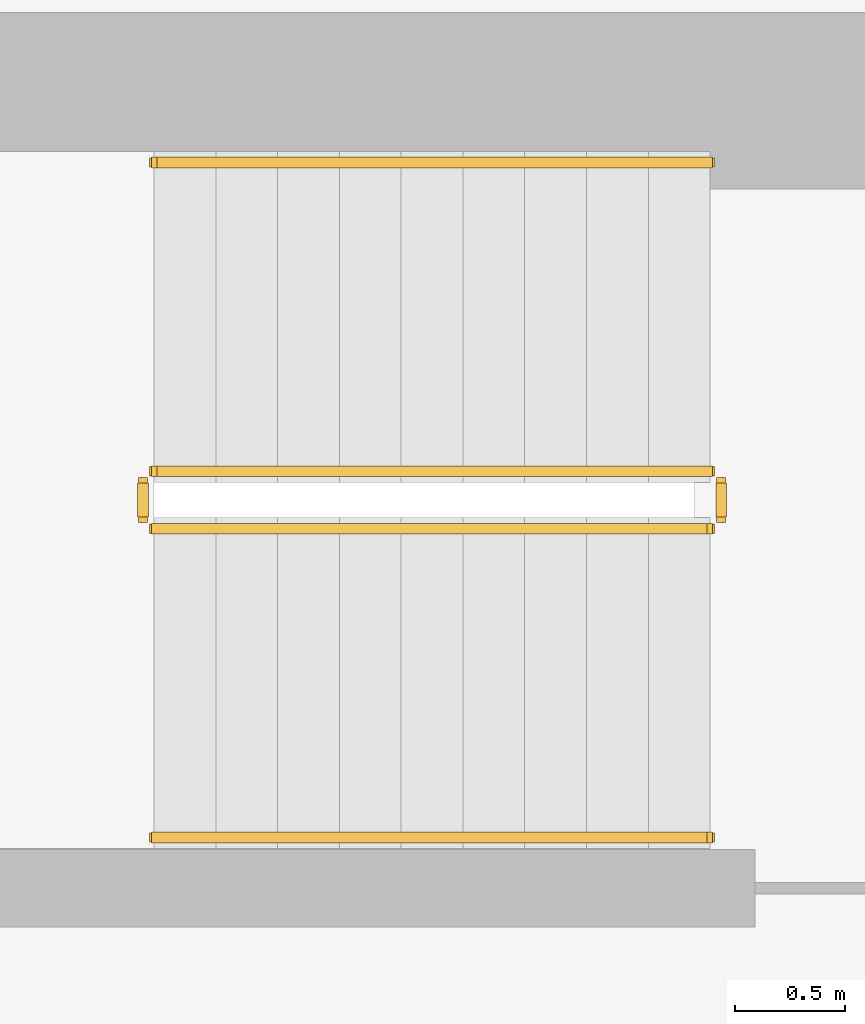
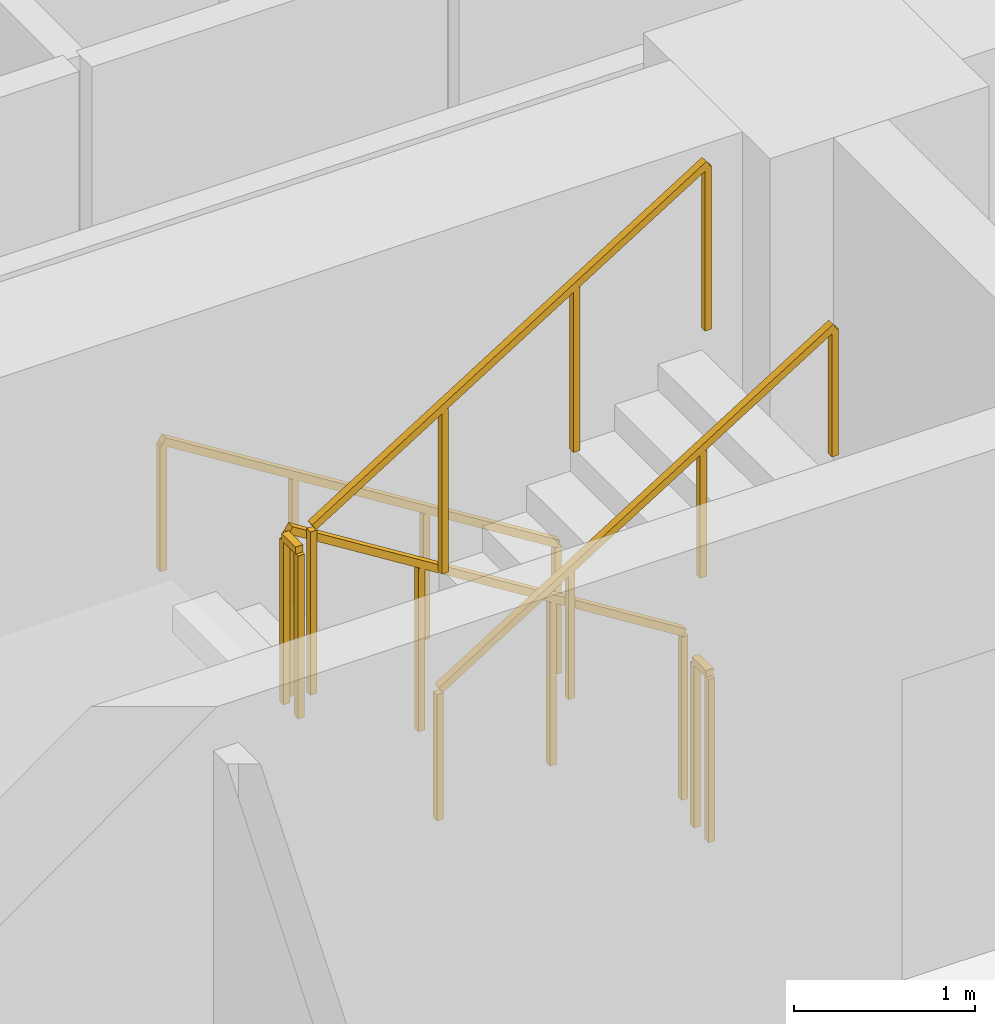
# One storey, part 14 of 16: 6 railings.
"""IFC4 building model written with IfcOpenShell, lengths in metres."""

from ifc_helpers import new_model, si_unit, direction, frame, origin, origin_2d, place, context, subcontext, project, spatial, rectangle, extrude, material, type_object, element, save


model = new_model("IFC4")

# Units and contexts
model_context = context("Model", 3, precision=1e-05, world=origin(), true_north=direction((0.0, 1.0)))
body_context = subcontext(model_context, "Body", "Model", "MODEL_VIEW")
ifc_project = project(units=[si_unit("LENGTHUNIT", "METRE"), si_unit("AREAUNIT", "SQUARE_METRE"), si_unit("VOLUMEUNIT", "CUBIC_METRE"), si_unit("PLANEANGLEUNIT", "RADIAN"), si_unit("MASSUNIT", "GRAM", prefix="KILO")], contexts=[model_context])

# Site, building, storey
site_placement = place(None, origin())
site = spatial("IfcSite", under=ifc_project, at=site_placement, CompositionType="ELEMENT")
building_placement = place(site_placement, origin())
building = spatial("IfcBuilding", under=site, at=building_placement, Name="Zarnavel Station Tower", CompositionType="ELEMENT")
storey_placement = place(building_placement, frame((0.0, 0.0, 32.5)))
storey = spatial("IfcBuildingStorey", under=building, at=storey_placement, Name="L08", CompositionType="ELEMENT", Elevation=32.5)

# Railings
ifc_material_1 = material(Name="Painted Steel S355J2 Balustrade", Category="steel")
railing_type_1 = type_object("IfcRailingType", Name="GR_INT_1150", PredefinedType="GUARDRAIL", material=ifc_material_1)
railing_1_placement = place(storey_placement, frame((19.47998046875, 35.3701171875, 0.175048828125)))
element("IfcRailing", 1, at=railing_1_placement, inside=storey, type_object=railing_type_1, Name="L08 ST1 stair guard 1", PredefinedType="GUARDRAIL", context=body_context, shape_type="SweptSolid", body=[
    extrude(rectangle(XDim=0.048095703125, YDim=0.048095703125, at=origin_2d()), frame((-0.001708984375, 0.0, 1.126953125), z_axis=(-0.848007534815, 0.0, 0.529984170421), x_axis=(0.0, -1.0, 0.0)), (0.0, 0.0, 1.0), 2.9677734375),
    extrude(rectangle(XDim=0.0419921875, YDim=0.0419921875, at=origin_2d()), origin(), (0.0, 0.0, 1.0), 1.101806640625),
    extrude(rectangle(XDim=0.0419921875, YDim=0.0419921875, at=origin_2d()), frame((-0.840087890625, 0.0, 0.52490234375)), (0.0, 0.0, 1.0), 1.101806640625),
    extrude(rectangle(XDim=0.0419921875, YDim=0.0419921875, at=origin_2d()), frame((-1.679931640625, 0.0, 1.050048828125)), (0.0, 0.0, 1.0), 1.101806640625),
    extrude(rectangle(XDim=0.0419921875, YDim=0.0419921875, at=origin_2d()), frame((-2.52001953125, 0.0, 1.574951171875)), (0.0, 0.0, 1.0), 1.101806640625),
])
railing_2_placement = place(storey_placement, frame((16.909912109375, 35.320068359375, 1.75)))
element("IfcRailing", 2, at=railing_2_placement, inside=storey, type_object=railing_type_1, Name="L08 ST1 stair guard 2", PredefinedType="GUARDRAIL", context=body_context, shape_type="SweptSolid", body=[
    extrude(rectangle(XDim=0.048095703125, YDim=0.048095703125, at=origin_2d()), frame((0.0, -0.001953125, 1.1259765625), z_axis=(0.0, -1.0, 0.0), x_axis=(1.0, 0.0, 0.0)), (0.0, 0.0, 1.0), 0.15625),
    extrude(rectangle(XDim=0.0419921875, YDim=0.0419921875, at=origin_2d()), origin(), (0.0, 0.0, 1.0), 1.101806640625),
    extrude(rectangle(XDim=0.0419921875, YDim=0.0419921875, at=origin_2d()), frame((0.0, -0.16015625, 0.0)), (0.0, 0.0, 1.0), 1.101806640625),
])
railing_3_placement = place(storey_placement, frame((16.9599609375, 35.110107421875, 1.925048828125)))
element("IfcRailing", 3, at=railing_3_placement, inside=storey, type_object=railing_type_1, Name="L08 ST1 stair guard 3", PredefinedType="GUARDRAIL", context=body_context, shape_type="SweptSolid", body=[
    extrude(rectangle(XDim=0.048095703125, YDim=0.048095703125, at=origin_2d()), frame((0.001708984375, 0.0, 1.126953125), z_axis=(0.848007534815, 0.0, 0.529984170421), x_axis=(0.0, 1.0, 0.0)), (0.0, 0.0, 1.0), 2.9677734375),
    extrude(rectangle(XDim=0.0419921875, YDim=0.0419921875, at=origin_2d()), origin(), (0.0, 0.0, 1.0), 1.101806640625),
    extrude(rectangle(XDim=0.0419921875, YDim=0.0419921875, at=origin_2d()), frame((0.840087890625, 0.0, 0.52490234375)), (0.0, 0.0, 1.0), 1.101806640625),
    extrude(rectangle(XDim=0.0419921875, YDim=0.0419921875, at=origin_2d()), frame((1.679931640625, 0.0, 1.050048828125)), (0.0, 0.0, 1.0), 1.101806640625),
    extrude(rectangle(XDim=0.0419921875, YDim=0.0419921875, at=origin_2d()), frame((2.52001953125, 0.0, 1.574951171875)), (0.0, 0.0, 1.0), 1.101806640625),
])
railing_4_placement = place(storey_placement, frame((19.530029296875, 35.320068359375, 0.0)))
element("IfcRailing", 4, at=railing_4_placement, inside=storey, type_object=railing_type_1, Name="L08 ST1 stair guard 4", PredefinedType="GUARDRAIL", context=body_context, shape_type="SweptSolid", body=[
    extrude(rectangle(XDim=0.048095703125, YDim=0.048095703125, at=origin_2d()), frame((0.0, -0.001953125, 1.1259765625), z_axis=(0.0, -1.0, 0.0), x_axis=(1.0, 0.0, 0.0)), (0.0, 0.0, 1.0), 0.15625),
    extrude(rectangle(XDim=0.0419921875, YDim=0.0419921875, at=origin_2d()), origin(), (0.0, 0.0, 1.0), 1.101806640625),
    extrude(rectangle(XDim=0.0419921875, YDim=0.0419921875, at=origin_2d()), frame((0.0, -0.16015625, 0.0)), (0.0, 0.0, 1.0), 1.101806640625),
])
ifc_material_2 = material(Name="Brushed Stainless Steel S355J2 Handrail", Category="steel")
railing_type_2 = type_object("IfcRailingType", Name="HR_STAIR_900", PredefinedType="HANDRAIL", material=ifc_material_2)
railing_5_placement = place(storey_placement, frame((19.47998046875, 36.77001953125, 0.175048828125)))
element("IfcRailing", 5, at=railing_5_placement, inside=storey, type_object=railing_type_2, Name="L08 ST1 stair handrail 1", PredefinedType="HANDRAIL", context=body_context, shape_type="SweptSolid", body=[
    extrude(rectangle(XDim=0.048095703125, YDim=0.048095703125, at=origin_2d()), frame((-0.001708984375, 0.0, 0.876953125), z_axis=(-0.848007534815, 0.0, 0.529984170421), x_axis=(0.0, -1.0, 0.0)), (0.0, 0.0, 1.0), 2.9677734375),
    extrude(rectangle(XDim=0.0419921875, YDim=0.0419921875, at=origin_2d()), origin(), (0.0, 0.0, 1.0), 0.851806640625),
    extrude(rectangle(XDim=0.0419921875, YDim=0.0419921875, at=origin_2d()), frame((-0.840087890625, 0.0, 0.52490234375)), (0.0, 0.0, 1.0), 0.851806640625),
    extrude(rectangle(XDim=0.0419921875, YDim=0.0419921875, at=origin_2d()), frame((-1.679931640625, 0.0, 1.050048828125)), (0.0, 0.0, 1.0), 0.851806640625),
    extrude(rectangle(XDim=0.0419921875, YDim=0.0419921875, at=origin_2d()), frame((-2.52001953125, 0.0, 1.574951171875)), (0.0, 0.0, 1.0), 0.851806640625),
])
railing_6_placement = place(storey_placement, frame((16.9599609375, 33.7099609375, 1.925048828125)))
element("IfcRailing", 6, at=railing_6_placement, inside=storey, type_object=railing_type_2, Name="L08 ST1 stair handrail 2", PredefinedType="HANDRAIL", context=body_context, shape_type="SweptSolid", body=[
    extrude(rectangle(XDim=0.048095703125, YDim=0.048095703125, at=origin_2d()), frame((0.001708984375, 0.0, 0.876953125), z_axis=(0.848007534815, 0.0, 0.529984170421), x_axis=(0.0, 1.0, 0.0)), (0.0, 0.0, 1.0), 2.9677734375),
    extrude(rectangle(XDim=0.0419921875, YDim=0.0419921875, at=origin_2d()), origin(), (0.0, 0.0, 1.0), 0.851806640625),
    extrude(rectangle(XDim=0.0419921875, YDim=0.0419921875, at=origin_2d()), frame((0.840087890625, 0.0, 0.52490234375)), (0.0, 0.0, 1.0), 0.851806640625),
    extrude(rectangle(XDim=0.0419921875, YDim=0.0419921875, at=origin_2d()), frame((1.679931640625, 0.0, 1.050048828125)), (0.0, 0.0, 1.0), 0.851806640625),
    extrude(rectangle(XDim=0.0419921875, YDim=0.0419921875, at=origin_2d()), frame((2.52001953125, 0.0, 1.574951171875)), (0.0, 0.0, 1.0), 0.851806640625),
])

save(model, "model.ifc")
